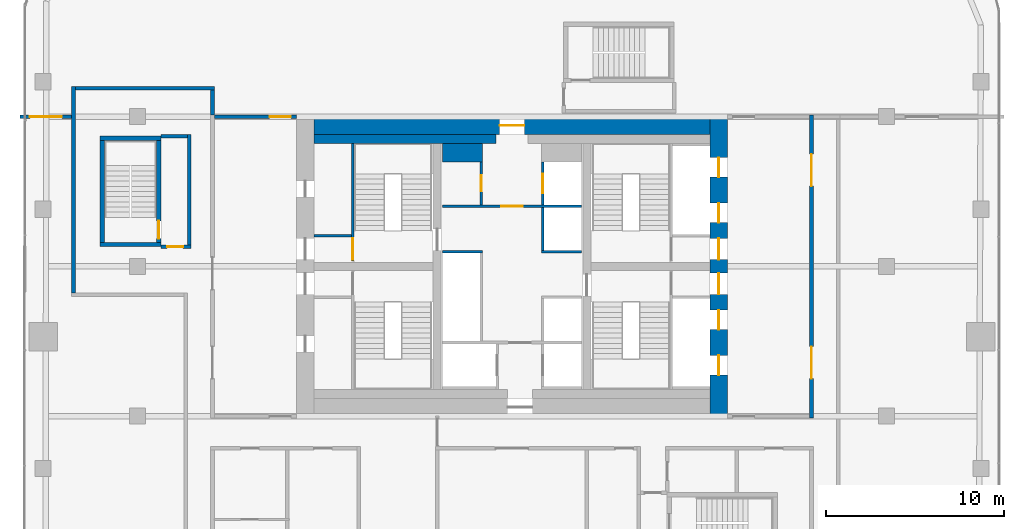
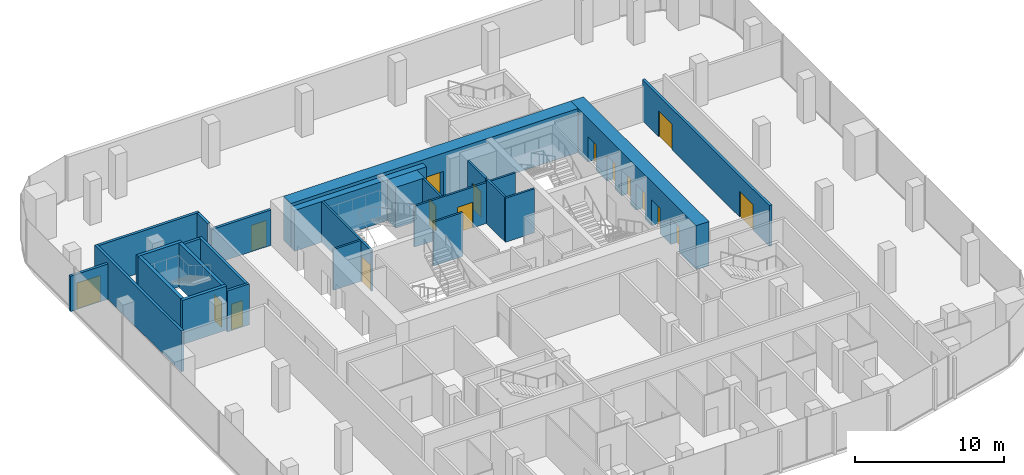
# One storey, part 17 of 21: 25 walls, 17 doors, 17 openings.
"""IFC4 building model written with IfcOpenShell, lengths in metres."""

from ifc_helpers import new_model, si_unit, direction, frame, frame_2d, origin, place, context, subcontext, project, spatial, rectangle, extrude, material, layer, layer_set, type_object, element, fill, save


model = new_model("IFC4")

# Units and contexts
model_context = context("Model", 3, precision=1e-05, world=origin(), true_north=direction((0.0, 1.0)))
body_context = subcontext(model_context, "Body", "Model", "MODEL_VIEW")
ifc_project = project(units=[si_unit("LENGTHUNIT", "METRE"), si_unit("AREAUNIT", "SQUARE_METRE"), si_unit("VOLUMEUNIT", "CUBIC_METRE"), si_unit("PLANEANGLEUNIT", "RADIAN"), si_unit("MASSUNIT", "GRAM", prefix="KILO")], contexts=[model_context])

# Site, building, storey
site_placement = place(None, origin())
site = spatial("IfcSite", under=ifc_project, at=site_placement, CompositionType="ELEMENT")
building_placement = place(site_placement, origin())
building = spatial("IfcBuilding", under=site, at=building_placement, Name="Marenta Gate Hotel Tower", CompositionType="ELEMENT")
storey_placement = place(building_placement, frame((0.0, 0.0, 133.699951171875)))
storey = spatial("IfcBuildingStorey", under=building, at=storey_placement, Name="L30", CompositionType="ELEMENT", Elevation=133.699951171875)

# Wall, opening, door
ifc_material_1 = material(Name="Concrete blockwork", Category="masonry")
ifc_layer_1 = layer(ifc_material_1, 0.199951171875)
ifc_layer_set_1 = layer_set([ifc_layer_1], Name="Concrete blockwork")
wall_type_1 = type_object("IfcWallType", Name="Core boundary wall 200 REI 180", PredefinedType="PARTITIONING", material=ifc_layer_set_1)
wall_1_placement = place(storey_placement, frame((-16.699951171875, 16.800048828125, 0.0), z_axis=(0.0, 0.0, 1.0), x_axis=(1.0, 0.0, 0.0)))
wall_1 = element("IfcWall", 1, at=wall_1_placement, inside=storey, type_object=wall_type_1, Name="L30-CP-EW-WN", PredefinedType="PARTITIONING", context=body_context, shape_type="SweptSolid", body=[
    extrude(rectangle(XDim=4.599853515625, YDim=0.199951171875, at=frame_2d((2.2998046875, 0.0))), origin(), (0.0, 0.0, 1.0), 2.89013671875),
])
opening_1_placement = place(wall_1_placement, frame((3.10009765625, 0.0, 0.0)))
opening_1 = element("IfcOpeningElement", 2, at=opening_1_placement, cuts=wall_1, Name="Opening RFD-WN", PredefinedType="OPENING", context=body_context, shape_type="SweptSolid", body=[
    extrude(rectangle(XDim=1.199951171875, YDim=2.10009765625, at=frame_2d((0.60009765625, 1.050048828125))), frame((0.0, 0.10009765625, 0.0), z_axis=(0.0, -1.0, 0.0), x_axis=(1.0, 0.0, 0.0)), (0.0, 0.0, 1.0), 0.199951171875),
])
ifc_material_2 = material(Name="Steel", Category="steel")
door_type_1 = type_object("IfcDoorType", Name="Core lobby door 1200x2100 FD60", OperationType="SINGLE_SWING_LEFT", PredefinedType="DOOR", material=ifc_material_2)
door_1_placement = place(opening_1_placement, origin())
door_1 = element("IfcDoor", 3, at=door_1_placement, inside=storey, type_object=door_type_1, Name="RFD-WN", OperationType="SINGLE_SWING_LEFT", OverallHeight=2.10009765625, OverallWidth=1.199951171875, PredefinedType="DOOR", context=body_context, shape_type="SweptSolid", body=[
    extrude(rectangle(XDim=1.199951171875, YDim=2.10009765625, at=frame_2d((0.60009765625, 1.050048828125))), frame((0.0, 0.02490234375, 0.0), z_axis=(0.0, -1.0, 0.0), x_axis=(1.0, 0.0, 0.0)), (0.0, 0.0, 1.0), 0.050048828125),
])
fill(opening_1, door_1)

# Wall, openings, doors
wall_2_placement = place(storey_placement, frame((16.800048828125, -0.10009765625, 0.0), z_axis=(0.0, 0.0, 1.0), x_axis=(0.0, 1.0, 0.0)))
wall_2 = element("IfcWall", 4, at=wall_2_placement, inside=storey, type_object=wall_type_1, Name="L30-CP-BW-E", PredefinedType="PARTITIONING", context=body_context, shape_type="SweptSolid", body=[
    extrude(rectangle(XDim=17.0, YDim=0.199951171875, at=frame_2d((8.5, 0.0))), origin(), (0.0, 0.0, 1.0), 3.340087890625),
])
opening_2_placement = place(wall_2_placement, frame((2.199951171875, 0.0, 0.0)))
opening_2 = element("IfcOpeningElement", 5, at=opening_2_placement, cuts=wall_2, Name="Opening ED-Ea-B", PredefinedType="OPENING", context=body_context, shape_type="SweptSolid", body=[
    extrude(rectangle(XDim=1.800048828125, YDim=2.10009765625, at=frame_2d((0.89990234375, 1.050048828125))), frame((0.0, 0.10009765625, 0.0), z_axis=(0.0, -1.0, 0.0), x_axis=(1.0, 0.0, 0.0)), (0.0, 0.0, 1.0), 0.199951171875),
])
opening_3_placement = place(wall_2_placement, frame((13.0, 0.0, 0.0)))
opening_3 = element("IfcOpeningElement", 6, at=opening_3_placement, cuts=wall_2, Name="Opening ED-Eb-B", PredefinedType="OPENING", context=body_context, shape_type="SweptSolid", body=[
    extrude(rectangle(XDim=1.800048828125, YDim=2.10009765625, at=frame_2d((0.89990234375, 1.050048828125))), frame((0.0, 0.10009765625, 0.0), z_axis=(0.0, -1.0, 0.0), x_axis=(1.0, 0.0, 0.0)), (0.0, 0.0, 1.0), 0.199951171875),
])
ifc_material_3 = material(Name="Steel", Category="steel")
door_type_2 = type_object("IfcDoorType", Name="Core lobby entrance door 1800x2100 EI 60", OperationType="DOUBLE_DOOR_SINGLE_SWING", PredefinedType="DOOR", material=ifc_material_3)
door_2_placement = place(opening_2_placement, origin())
door_2 = element("IfcDoor", 7, at=door_2_placement, inside=storey, type_object=door_type_2, Name="ED-Ea-B", OperationType="DOUBLE_DOOR_SINGLE_SWING", OverallHeight=2.10009765625, OverallWidth=1.800048828125, PredefinedType="DOOR", context=body_context, shape_type="SweptSolid", body=[
    extrude(rectangle(XDim=1.800048828125, YDim=2.10009765625, at=frame_2d((0.89990234375, 1.050048828125))), frame((0.0, 0.02490234375, 0.0), z_axis=(0.0, -1.0, 0.0), x_axis=(1.0, 0.0, 0.0)), (0.0, 0.0, 1.0), 0.050048828125),
])
fill(opening_2, door_2)
door_3_placement = place(opening_3_placement, origin())
door_3 = element("IfcDoor", 8, at=door_3_placement, inside=storey, type_object=door_type_2, Name="ED-Eb-B", OperationType="DOUBLE_DOOR_SINGLE_SWING", OverallHeight=2.10009765625, OverallWidth=1.800048828125, PredefinedType="DOOR", context=body_context, shape_type="SweptSolid", body=[
    extrude(rectangle(XDim=1.800048828125, YDim=2.10009765625, at=frame_2d((0.89990234375, 1.050048828125))), frame((0.0, 0.02490234375, 0.0), z_axis=(0.0, -1.0, 0.0), x_axis=(1.0, 0.0, 0.0)), (0.0, 0.0, 1.0), 0.050048828125),
])
fill(opening_3, door_3)

# Wall
ifc_material_4 = material(Name="Concrete C40", Category="concrete")
ifc_layer_2 = layer(ifc_material_4, 0.5)
ifc_layer_set_2 = layer_set([ifc_layer_2], Name="Concrete C40")
wall_type_2 = type_object("IfcWallType", Name="Core lining wall 500 REI 180", PredefinedType="PARTITIONING", material=ifc_layer_set_2)
wall_3_placement = place(storey_placement, frame((-11.10009765625, 15.550048828125, 0.0), z_axis=(0.0, 0.0, 1.0), x_axis=(1.0, 0.0, 0.0)))
element("IfcWall", 9, at=wall_3_placement, inside=storey, type_object=wall_type_2, Name="L30-CP-LN-N1", PredefinedType="PARTITIONING", context=body_context, shape_type="SweptSolid", body=[
    extrude(rectangle(XDim=10.2001953125, YDim=0.5, at=frame_2d((5.10009765625, 0.0))), origin(), (0.0, 0.0, 1.0), 3.340087890625),
])

# Wall, opening, door
ifc_material_5 = material(Name="Concrete blockwork", Category="masonry")
ifc_layer_3 = layer(ifc_material_5, 0.14990234375)
ifc_layer_set_3 = layer_set([ifc_layer_3], Name="Concrete blockwork")
wall_type_3 = type_object("IfcWallType", Name="Core lobby partition 150 REI 180", PredefinedType="PARTITIONING", material=ifc_layer_set_3)
wall_4_placement = place(storey_placement, frame((-3.89990234375, 11.77490234375, 0.0), z_axis=(0.0, 0.0, 1.0), x_axis=(1.0, 0.0, 0.0)))
wall_4 = element("IfcWall", 10, at=wall_4_placement, inside=storey, type_object=wall_type_3, Name="L30-CP-CW-N", PredefinedType="PARTITIONING", context=body_context, shape_type="SweptSolid", body=[
    extrude(rectangle(XDim=7.7998046875, YDim=0.14990234375, at=frame_2d((3.89990234375, 0.0))), origin(), (0.0, 0.0, 1.0), 3.340087890625),
])
opening_4_placement = place(wall_4_placement, frame((3.300048828125, 0.0, 0.0)))
opening_4 = element("IfcOpeningElement", 11, at=opening_4_placement, cuts=wall_4, Name="Opening FD-FFN", PredefinedType="OPENING", context=body_context, shape_type="SweptSolid", body=[
    extrude(rectangle(XDim=1.199951171875, YDim=2.10009765625, at=frame_2d((0.60009765625, 1.050048828125))), frame((0.0, 0.074951171875, 0.0), z_axis=(0.0, -1.0, 0.0), x_axis=(1.0, 0.0, 0.0)), (0.0, 0.0, 1.0), 0.14990234375),
])
door_4_placement = place(opening_4_placement, origin())
door_4 = element("IfcDoor", 12, at=door_4_placement, inside=storey, type_object=door_type_1, Name="FD-FFN", OperationType="SINGLE_SWING_LEFT", OverallHeight=2.10009765625, OverallWidth=1.199951171875, PredefinedType="DOOR", context=body_context, shape_type="SweptSolid", body=[
    extrude(rectangle(XDim=1.199951171875, YDim=2.10009765625, at=frame_2d((0.60009765625, 1.050048828125))), frame((0.0, 0.02490234375, 0.0), z_axis=(0.0, -1.0, 0.0), x_axis=(1.0, 0.0, 0.0)), (0.0, 0.0, 1.0), 0.050048828125),
])
fill(opening_4, door_4)

# Walls
ifc_material_6 = material(Name="Concrete blockwork", Category="masonry")
ifc_layer_4 = layer(ifc_material_6, 1.050048828125)
ifc_layer_set_4 = layer_set([ifc_layer_4], Name="Concrete blockwork")
wall_type_4 = type_object("IfcWallType", Name="Core room partition 1050 REI 180", PredefinedType="PARTITIONING", material=ifc_layer_set_4)
wall_5_placement = place(storey_placement, frame((-3.89990234375, 14.77490234375, 0.0), z_axis=(0.0, 0.0, 1.0), x_axis=(1.0, 0.0, 0.0)))
element("IfcWall", 13, at=wall_5_placement, inside=storey, type_object=wall_type_4, Name="L30-CP-CW-W-riser-N", PredefinedType="PARTITIONING", context=body_context, shape_type="SweptSolid", body=[
    extrude(rectangle(XDim=2.25, YDim=1.050048828125, at=frame_2d((1.125, 0.0))), origin(), (0.0, 0.0, 1.0), 3.340087890625),
])
ifc_material_7 = material(Name="Concrete blockwork", Category="masonry")
ifc_layer_5 = layer(ifc_material_7, 0.14990234375)
ifc_layer_set_5 = layer_set([ifc_layer_5], Name="Concrete blockwork")
wall_type_5 = type_object("IfcWallType", Name="Core room partition 150 REI 180", PredefinedType="PARTITIONING", material=ifc_layer_set_5)
wall_6_placement = place(storey_placement, frame((-11.10009765625, 10.125, 0.0), z_axis=(0.0, 0.0, 1.0), x_axis=(1.0, 0.0, 0.0)))
element("IfcWall", 14, at=wall_6_placement, inside=storey, type_object=wall_type_5, Name="L30-CP-SW-WN-2", PredefinedType="PARTITIONING", context=body_context, shape_type="SweptSolid", body=[
    extrude(rectangle(XDim=2.10009765625, YDim=0.14990234375, at=frame_2d((1.050048828125, 0.0))), origin(), (0.0, 0.0, 1.0), 3.340087890625),
])

# Wall, opening, door
wall_7_placement = place(storey_placement, frame((-1.72509765625, 11.85009765625, 0.0), z_axis=(0.0, 0.0, 1.0), x_axis=(0.0, 1.0, 0.0)))
wall_7 = element("IfcWall", 15, at=wall_7_placement, inside=storey, type_object=wall_type_5, Name="L30-CP-CW-W-riser-front", PredefinedType="PARTITIONING", context=body_context, shape_type="SweptSolid", body=[
    extrude(rectangle(XDim=2.39990234375, YDim=0.14990234375, at=frame_2d((1.199951171875, 0.0))), origin(), (0.0, 0.0, 1.0), 3.340087890625),
])
opening_5_placement = place(wall_7_placement, frame((0.75, 0.0, 0.0)))
opening_5 = element("IfcOpeningElement", 16, at=opening_5_placement, cuts=wall_7, Name="Opening RD-CRISER", PredefinedType="OPENING", context=body_context, shape_type="SweptSolid", body=[
    extrude(rectangle(XDim=0.89990234375, YDim=2.10009765625, at=frame_2d((0.449951171875, 1.050048828125))), frame((0.0, 0.074951171875, 0.0), z_axis=(0.0, -1.0, 0.0), x_axis=(1.0, 0.0, 0.0)), (0.0, 0.0, 1.0), 0.14990234375),
])
ifc_material_8 = material(Name="Steel", Category="steel")
door_type_3 = type_object("IfcDoorType", Name="Core riser door 900x2100 FD60", OperationType="SINGLE_SWING_LEFT", PredefinedType="DOOR", material=ifc_material_8)
door_5_placement = place(opening_5_placement, origin())
door_5 = element("IfcDoor", 17, at=door_5_placement, inside=storey, type_object=door_type_3, Name="RD-CRISER", OperationType="SINGLE_SWING_LEFT", OverallHeight=2.10009765625, OverallWidth=0.89990234375, PredefinedType="DOOR", context=body_context, shape_type="SweptSolid", body=[
    extrude(rectangle(XDim=0.89990234375, YDim=2.10009765625, at=frame_2d((0.449951171875, 1.050048828125))), frame((0.0, 0.02490234375, 0.0), z_axis=(0.0, -1.0, 0.0), x_axis=(1.0, 0.0, 0.0)), (0.0, 0.0, 1.0), 0.050048828125),
])
fill(opening_5, door_5)

# Wall
ifc_material_9 = material(Name="Concrete C40", Category="concrete")
ifc_layer_6 = layer(ifc_material_9, 0.14990234375)
ifc_layer_set_6 = layer_set([ifc_layer_6], Name="Concrete C40")
wall_type_6 = type_object("IfcWallType", Name="Core shaft wall 150 REI 180", PredefinedType="SHEAR", material=ifc_layer_set_6)
wall_8_placement = place(storey_placement, frame((-3.89990234375, 9.22509765625, 0.0), z_axis=(0.0, 0.0, 1.0), x_axis=(1.0, 0.0, 0.0)))
element("IfcWall", 18, at=wall_8_placement, inside=storey, type_object=wall_type_6, Name="L30-SHF-CW-W-sep", PredefinedType="SHEAR", context=body_context, shape_type="SweptSolid", body=[
    extrude(rectangle(XDim=2.25, YDim=0.14990234375, at=frame_2d((1.125, 0.0))), origin(), (0.0, 0.0, 1.0), 3.60009765625),
])

# Wall, opening, door
wall_9_placement = place(storey_placement, frame((1.72509765625, 11.85009765625, 0.0), z_axis=(0.0, 0.0, 1.0), x_axis=(0.0, 1.0, 0.0)))
wall_9 = element("IfcWall", 19, at=wall_9_placement, inside=storey, type_object=wall_type_6, Name="L30-SHF-CE-N-front2", PredefinedType="SHEAR", context=body_context, shape_type="SweptSolid", body=[
    extrude(rectangle(XDim=2.39990234375, YDim=0.14990234375, at=frame_2d((1.199951171875, 0.0))), origin(), (0.0, 0.0, 1.0), 3.60009765625),
])
opening_6_placement = place(wall_9_placement, frame((0.64990234375, 0.0, 0.0)))
opening_6 = element("IfcOpeningElement", 20, at=opening_6_placement, cuts=wall_9, Name="Opening LD-FF2", PredefinedType="OPENING", context=body_context, shape_type="SweptSolid", body=[
    extrude(rectangle(XDim=1.10009765625, YDim=2.10009765625, at=frame_2d((0.550048828125, 1.050048828125))), frame((0.0, 0.074951171875, 0.0), z_axis=(0.0, -1.0, 0.0), x_axis=(1.0, 0.0, 0.0)), (0.0, 0.0, 1.0), 0.14990234375),
])
ifc_material_10 = material(Name="Steel", Category="steel")
door_type_4 = type_object("IfcDoorType", Name="Core lift landing door 1100x2100 E 60", OperationType="SLIDING_TO_LEFT", PredefinedType="DOOR", material=ifc_material_10)
door_6_placement = place(opening_6_placement, origin())
door_6 = element("IfcDoor", 21, at=door_6_placement, inside=storey, type_object=door_type_4, Name="LD-FF2", OperationType="SLIDING_TO_LEFT", OverallHeight=2.10009765625, OverallWidth=1.10009765625, PredefinedType="DOOR", context=body_context, shape_type="SweptSolid", body=[
    extrude(rectangle(XDim=1.10009765625, YDim=2.10009765625, at=frame_2d((0.550048828125, 1.050048828125))), frame((0.0, 0.02490234375, 0.0), z_axis=(0.0, -1.0, 0.0), x_axis=(1.0, 0.0, 0.0)), (0.0, 0.0, 1.0), 0.050048828125),
])
fill(opening_6, door_6)

# Walls
wall_10_placement = place(storey_placement, frame((1.64990234375, 9.22509765625, 0.0), z_axis=(0.0, 0.0, 1.0), x_axis=(1.0, 0.0, 0.0)))
element("IfcWall", 22, at=wall_10_placement, inside=storey, type_object=wall_type_6, Name="L30-SHF-CE-sep2", PredefinedType="SHEAR", context=body_context, shape_type="SweptSolid", body=[
    extrude(rectangle(XDim=2.25, YDim=0.14990234375, at=frame_2d((1.125, 0.0))), origin(), (0.0, 0.0, 1.0), 3.60009765625),
])
wall_11_placement = place(storey_placement, frame((1.72509765625, 9.300048828125, 0.0), z_axis=(0.0, 0.0, 1.0), x_axis=(0.0, 1.0, 0.0)))
element("IfcWall", 23, at=wall_11_placement, inside=storey, type_object=wall_type_6, Name="L30-SHF-CE-front-2", PredefinedType="SHEAR", context=body_context, shape_type="SweptSolid", body=[
    extrude(rectangle(XDim=2.39990234375, YDim=0.14990234375, at=frame_2d((1.199951171875, 0.0))), origin(), (0.0, 0.0, 1.0), 3.60009765625),
])

# Wall, opening, door
ifc_material_11 = material(Name="Concrete C40", Category="concrete")
ifc_layer_7 = layer(ifc_material_11, 0.14990234375)
ifc_layer_set_7 = layer_set([ifc_layer_7], Name="Concrete C40")
wall_type_7 = type_object("IfcWallType", Name="Core stair enclosure wall 150 REI 180", PredefinedType="SHEAR", material=ifc_layer_set_7)
wall_12_placement = place(storey_placement, frame((-8.925048828125, 8.699951171875, 0.0), z_axis=(0.0, 0.0, 1.0), x_axis=(0.0, 1.0, 0.0)))
wall_12 = element("IfcWall", 24, at=wall_12_placement, inside=storey, type_object=wall_type_7, Name="L30-SHF-SW-WN-3", PredefinedType="SHEAR", context=body_context, shape_type="SweptSolid", body=[
    extrude(rectangle(XDim=6.60009765625, YDim=0.14990234375, at=frame_2d((3.300048828125, 0.0))), origin(), (0.0, 0.0, 1.0), 3.340087890625),
])
opening_7_placement = place(wall_12_placement, frame((0.074951171875, 0.0, 0.0)))
opening_7 = element("IfcOpeningElement", 25, at=opening_7_placement, cuts=wall_12, Name="Opening SD-WN", PredefinedType="OPENING", context=body_context, shape_type="SweptSolid", body=[
    extrude(rectangle(XDim=1.199951171875, YDim=2.10009765625, at=frame_2d((0.60009765625, 1.050048828125))), frame((0.0, 0.074951171875, 0.0), z_axis=(0.0, -1.0, 0.0), x_axis=(1.0, 0.0, 0.0)), (0.0, 0.0, 1.0), 0.14990234375),
])
ifc_material_12 = material(Name="Steel", Category="steel")
door_type_5 = type_object("IfcDoorType", Name="Core stair door 1200x2100 FD60", OperationType="SINGLE_SWING_LEFT", PredefinedType="DOOR", material=ifc_material_12)
door_7_placement = place(opening_7_placement, origin())
door_7 = element("IfcDoor", 26, at=door_7_placement, inside=storey, type_object=door_type_5, Name="SD-WN", OperationType="SINGLE_SWING_LEFT", OverallHeight=2.10009765625, OverallWidth=1.199951171875, PredefinedType="DOOR", context=body_context, shape_type="SweptSolid", body=[
    extrude(rectangle(XDim=1.199951171875, YDim=2.10009765625, at=frame_2d((0.60009765625, 1.050048828125))), frame((0.0, 0.02490234375, 0.0), z_axis=(0.0, -1.0, 0.0), x_axis=(1.0, 0.0, 0.0)), (0.0, 0.0, 1.0), 0.050048828125),
])
fill(opening_7, door_7)

# Wall, openings, doors
ifc_material_13 = material(Name="Concrete C70", Category="concrete")
ifc_layer_8 = layer(ifc_material_13, 1.0)
ifc_layer_set_8 = layer_set([ifc_layer_8], Name="Concrete C70")
wall_type_8 = type_object("IfcWallType", Name="Core wall 1000 C70", PredefinedType="SHEAR", material=ifc_layer_set_8)
wall_13_placement = place(storey_placement, frame((11.60009765625, 0.0, 0.0), z_axis=(0.0, 0.0, 1.0), x_axis=(0.0, 1.0, 0.0)))
wall_13 = element("IfcWall", 27, at=wall_13_placement, inside=storey, type_object=wall_type_8, Name="L30-CORE-E", PredefinedType="SHEAR", context=body_context, shape_type="SweptSolid", body=[
    extrude(rectangle(XDim=16.800048828125, YDim=1.0, at=frame_2d((8.39990234375, 0.0))), origin(), (0.0, 0.0, 1.0), 3.60009765625),
])
opening_8_placement = place(wall_13_placement, frame((2.300048828125, 0.0, 0.0)))
opening_8 = element("IfcOpeningElement", 28, at=opening_8_placement, cuts=wall_13, Name="Opening LD-HR1", PredefinedType="OPENING", context=body_context, shape_type="SweptSolid", body=[
    extrude(rectangle(XDim=1.10009765625, YDim=2.10009765625, at=frame_2d((0.550048828125, 1.050048828125))), frame((0.0, 0.5, 0.0), z_axis=(0.0, -1.0, 0.0), x_axis=(1.0, 0.0, 0.0)), (0.0, 0.0, 1.0), 1.0),
])
opening_9_placement = place(wall_13_placement, frame((4.85009765625, 0.0, 0.0)))
opening_9 = element("IfcOpeningElement", 29, at=opening_9_placement, cuts=wall_13, Name="Opening LD-HR2", PredefinedType="OPENING", context=body_context, shape_type="SweptSolid", body=[
    extrude(rectangle(XDim=1.10009765625, YDim=2.10009765625, at=frame_2d((0.550048828125, 1.050048828125))), frame((0.0, 0.5, 0.0), z_axis=(0.0, -1.0, 0.0), x_axis=(1.0, 0.0, 0.0)), (0.0, 0.0, 1.0), 1.0),
])
opening_10_placement = place(wall_13_placement, frame((6.824951171875, 0.0, 0.0)))
opening_10 = element("IfcOpeningElement", 30, at=opening_10_placement, cuts=wall_13, Name="Opening PD-ES", PredefinedType="OPENING", context=body_context, shape_type="SweptSolid", body=[
    extrude(rectangle(XDim=1.199951171875, YDim=2.10009765625, at=frame_2d((0.60009765625, 1.050048828125))), frame((0.0, 0.5, 0.0), z_axis=(0.0, -1.0, 0.0), x_axis=(1.0, 0.0, 0.0)), (0.0, 0.0, 1.0), 1.0),
])
opening_11_placement = place(wall_13_placement, frame((13.39990234375, 0.0, 0.0)))
opening_11 = element("IfcOpeningElement", 31, at=opening_11_placement, cuts=wall_13, Name="Opening LD-HR4", PredefinedType="OPENING", context=body_context, shape_type="SweptSolid", body=[
    extrude(rectangle(XDim=1.10009765625, YDim=2.10009765625, at=frame_2d((0.550048828125, 1.050048828125))), frame((0.0, 0.5, 0.0), z_axis=(0.0, -1.0, 0.0), x_axis=(1.0, 0.0, 0.0)), (0.0, 0.0, 1.0), 1.0),
])
opening_12_placement = place(wall_13_placement, frame((10.85009765625, 0.0, 0.0)))
opening_12 = element("IfcOpeningElement", 32, at=opening_12_placement, cuts=wall_13, Name="Opening LD-HR3", PredefinedType="OPENING", context=body_context, shape_type="SweptSolid", body=[
    extrude(rectangle(XDim=1.10009765625, YDim=2.10009765625, at=frame_2d((0.550048828125, 1.050048828125))), frame((0.0, 0.5, 0.0), z_axis=(0.0, -1.0, 0.0), x_axis=(1.0, 0.0, 0.0)), (0.0, 0.0, 1.0), 1.0),
])
opening_13_placement = place(wall_13_placement, frame((8.77490234375, 0.0, 0.0)))
opening_13 = element("IfcOpeningElement", 33, at=opening_13_placement, cuts=wall_13, Name="Opening PD-EN", PredefinedType="OPENING", context=body_context, shape_type="SweptSolid", body=[
    extrude(rectangle(XDim=1.199951171875, YDim=2.10009765625, at=frame_2d((0.60009765625, 1.050048828125))), frame((0.0, 0.5, 0.0), z_axis=(0.0, -1.0, 0.0), x_axis=(1.0, 0.0, 0.0)), (0.0, 0.0, 1.0), 1.0),
])
door_8_placement = place(opening_8_placement, origin())
door_8 = element("IfcDoor", 34, at=door_8_placement, inside=storey, type_object=door_type_4, Name="LD-HR1", OperationType="SLIDING_TO_LEFT", OverallHeight=2.10009765625, OverallWidth=1.10009765625, PredefinedType="DOOR", context=body_context, shape_type="SweptSolid", body=[
    extrude(rectangle(XDim=1.10009765625, YDim=2.10009765625, at=frame_2d((0.550048828125, 1.050048828125))), frame((0.0, 0.02490234375, 0.0), z_axis=(0.0, -1.0, 0.0), x_axis=(1.0, 0.0, 0.0)), (0.0, 0.0, 1.0), 0.050048828125),
])
fill(opening_8, door_8)
door_9_placement = place(opening_9_placement, origin())
door_9 = element("IfcDoor", 35, at=door_9_placement, inside=storey, type_object=door_type_4, Name="LD-HR2", OperationType="SLIDING_TO_LEFT", OverallHeight=2.10009765625, OverallWidth=1.10009765625, PredefinedType="DOOR", context=body_context, shape_type="SweptSolid", body=[
    extrude(rectangle(XDim=1.10009765625, YDim=2.10009765625, at=frame_2d((0.550048828125, 1.050048828125))), frame((0.0, 0.02490234375, 0.0), z_axis=(0.0, -1.0, 0.0), x_axis=(1.0, 0.0, 0.0)), (0.0, 0.0, 1.0), 0.050048828125),
])
fill(opening_9, door_9)
door_10_placement = place(opening_11_placement, origin())
door_10 = element("IfcDoor", 36, at=door_10_placement, inside=storey, type_object=door_type_4, Name="LD-HR4", OperationType="SLIDING_TO_LEFT", OverallHeight=2.10009765625, OverallWidth=1.10009765625, PredefinedType="DOOR", context=body_context, shape_type="SweptSolid", body=[
    extrude(rectangle(XDim=1.10009765625, YDim=2.10009765625, at=frame_2d((0.550048828125, 1.050048828125))), frame((0.0, 0.02490234375, 0.0), z_axis=(0.0, -1.0, 0.0), x_axis=(1.0, 0.0, 0.0)), (0.0, 0.0, 1.0), 0.050048828125),
])
fill(opening_11, door_10)
door_11_placement = place(opening_12_placement, origin())
door_11 = element("IfcDoor", 37, at=door_11_placement, inside=storey, type_object=door_type_4, Name="LD-HR3", OperationType="SLIDING_TO_LEFT", OverallHeight=2.10009765625, OverallWidth=1.10009765625, PredefinedType="DOOR", context=body_context, shape_type="SweptSolid", body=[
    extrude(rectangle(XDim=1.10009765625, YDim=2.10009765625, at=frame_2d((0.550048828125, 1.050048828125))), frame((0.0, 0.02490234375, 0.0), z_axis=(0.0, -1.0, 0.0), x_axis=(1.0, 0.0, 0.0)), (0.0, 0.0, 1.0), 0.050048828125),
])
fill(opening_12, door_11)
door_12_placement = place(opening_10_placement, origin())
door_12 = element("IfcDoor", 38, at=door_12_placement, inside=storey, type_object=door_type_1, Name="PD-ES", OperationType="SINGLE_SWING_LEFT", OverallHeight=2.10009765625, OverallWidth=1.199951171875, PredefinedType="DOOR", context=body_context, shape_type="SweptSolid", body=[
    extrude(rectangle(XDim=1.199951171875, YDim=2.10009765625, at=frame_2d((0.60009765625, 1.050048828125))), frame((0.0, 0.02490234375, 0.0), z_axis=(0.0, -1.0, 0.0), x_axis=(1.0, 0.0, 0.0)), (0.0, 0.0, 1.0), 0.050048828125),
])
fill(opening_10, door_12)
door_13_placement = place(opening_13_placement, origin())
door_13 = element("IfcDoor", 39, at=door_13_placement, inside=storey, type_object=door_type_1, Name="PD-EN", OperationType="SINGLE_SWING_LEFT", OverallHeight=2.10009765625, OverallWidth=1.199951171875, PredefinedType="DOOR", context=body_context, shape_type="SweptSolid", body=[
    extrude(rectangle(XDim=1.199951171875, YDim=2.10009765625, at=frame_2d((0.60009765625, 1.050048828125))), frame((0.0, 0.02490234375, 0.0), z_axis=(0.0, -1.0, 0.0), x_axis=(1.0, 0.0, 0.0)), (0.0, 0.0, 1.0), 0.050048828125),
])
fill(opening_13, door_13)

# Wall, opening, door
wall_14_placement = place(storey_placement, frame((-11.10009765625, 16.300048828125, 0.0), z_axis=(0.0, 0.0, 1.0), x_axis=(1.0, 0.0, 0.0)))
wall_14 = element("IfcWall", 40, at=wall_14_placement, inside=storey, type_object=wall_type_8, Name="L30-CORE-N", PredefinedType="SHEAR", context=body_context, shape_type="SweptSolid", body=[
    extrude(rectangle(XDim=22.2001953125, YDim=1.0, at=frame_2d((11.10009765625, 0.0))), origin(), (0.0, 0.0, 1.0), 3.60009765625),
])
opening_14_placement = place(wall_14_placement, frame((10.39990234375, 0.0, 0.0)))
opening_14 = element("IfcOpeningElement", 41, at=opening_14_placement, cuts=wall_14, Name="Opening RFD-N", PredefinedType="OPENING", context=body_context, shape_type="SweptSolid", body=[
    extrude(rectangle(XDim=1.39990234375, YDim=2.10009765625, at=frame_2d((0.699951171875, 1.050048828125))), frame((0.0, 0.5, 0.0), z_axis=(0.0, -1.0, 0.0), x_axis=(1.0, 0.0, 0.0)), (0.0, 0.0, 1.0), 1.0),
])
ifc_material_14 = material(Name="Steel", Category="steel")
door_type_6 = type_object("IfcDoorType", Name="Core lobby door 1400x2100 FD60", OperationType="SINGLE_SWING_LEFT", PredefinedType="DOOR", material=ifc_material_14)
door_14_placement = place(opening_14_placement, origin())
door_14 = element("IfcDoor", 42, at=door_14_placement, inside=storey, type_object=door_type_6, Name="RFD-N", OperationType="SINGLE_SWING_LEFT", OverallHeight=2.10009765625, OverallWidth=1.39990234375, PredefinedType="DOOR", context=body_context, shape_type="SweptSolid", body=[
    extrude(rectangle(XDim=1.39990234375, YDim=2.10009765625, at=frame_2d((0.699951171875, 1.050048828125))), frame((0.0, 0.02490234375, 0.0), z_axis=(0.0, -1.0, 0.0), x_axis=(1.0, 0.0, 0.0)), (0.0, 0.0, 1.0), 0.050048828125),
])
fill(opening_14, door_14)

# Walls
ifc_material_15 = material(Name="Concrete C40", Category="concrete")
ifc_layer_9 = layer(ifc_material_15, 0.25)
ifc_layer_set_9 = layer_set([ifc_layer_9], Name="Concrete C40")
wall_type_9 = type_object("IfcWallType", Name="Remote stair enclosure wall 250 REI 180", PredefinedType="SHEAR", material=ifc_layer_set_9)
for number, where, z_axis, x_axis, name in (
    (43, (-23.10009765625, 9.625, 0.10009765625), (0.0, 0.0, 1.0), (1.0, 0.0, 0.0), "L30-RS-Z1-3-W1"),
    (44, (-23.10009765625, 15.574951171875, 0.10009765625), (0.0, 0.0, 1.0), (1.0, 0.0, 0.0), "L30-RS-Z1-3-W2"),
):
    element("IfcWall", number, at=place(storey_placement, frame(where, z_axis=z_axis, x_axis=x_axis)), inside=storey, type_object=wall_type_9, Name=name, PredefinedType="SHEAR", context=body_context, shape_type="SweptSolid", body=[
        extrude(rectangle(XDim=3.400146484375, YDim=0.25, at=frame_2d((1.7001953125, 0.0))), origin(), (0.0, 0.0, 1.0), 3.599853515625),
    ])
wall_15_placement = place(storey_placement, frame((-22.97509765625, 9.75, 0.10009765625), z_axis=(0.0, 0.0, 1.0), x_axis=(0.0, 1.0, 0.0)))
element("IfcWall", 45, at=wall_15_placement, inside=storey, type_object=wall_type_9, Name="L30-RS-Z1-3-W3", PredefinedType="SHEAR", context=body_context, shape_type="SweptSolid", body=[
    extrude(rectangle(XDim=5.699951171875, YDim=0.25, at=frame_2d((2.85009765625, 0.0))), origin(), (0.0, 0.0, 1.0), 3.599853515625),
])

# Wall, opening, door
wall_16_placement = place(storey_placement, frame((-19.824951171875, 9.75, 0.10009765625), z_axis=(0.0, 0.0, 1.0), x_axis=(0.0, 1.0, 0.0)))
wall_16 = element("IfcWall", 46, at=wall_16_placement, inside=storey, type_object=wall_type_9, Name="L30-RS-Z1-3-W4", PredefinedType="SHEAR", context=body_context, shape_type="SweptSolid", body=[
    extrude(rectangle(XDim=5.699951171875, YDim=0.25, at=frame_2d((2.85009765625, 0.0))), origin(), (0.0, 0.0, 1.0), 3.599853515625),
])
opening_15_placement = place(wall_16_placement, frame((0.199951171875, 0.0, 0.0)))
opening_15 = element("IfcOpeningElement", 47, at=opening_15_placement, cuts=wall_16, Name="Opening VD", PredefinedType="OPENING", context=body_context, shape_type="SweptSolid", body=[
    extrude(rectangle(XDim=1.0, YDim=2.10009765625, at=frame_2d((0.5, 1.050048828125))), frame((0.0, 0.125, 0.0), z_axis=(0.0, -1.0, 0.0), x_axis=(1.0, 0.0, 0.0)), (0.0, 0.0, 1.0), 0.25),
])
ifc_material_16 = material(Name="Steel", Category="steel")
door_type_7 = type_object("IfcDoorType", Name="Stair vestibule door 1000x2100 FD60", OperationType="SINGLE_SWING_LEFT", PredefinedType="DOOR", material=ifc_material_16)
door_15_placement = place(opening_15_placement, origin())
door_15 = element("IfcDoor", 48, at=door_15_placement, inside=storey, type_object=door_type_7, Name="VD", OperationType="SINGLE_SWING_LEFT", OverallHeight=2.10009765625, OverallWidth=1.0, PredefinedType="DOOR", context=body_context, shape_type="SweptSolid", body=[
    extrude(rectangle(XDim=1.0, YDim=2.10009765625, at=frame_2d((0.5, 1.050048828125))), frame((0.0, 0.02490234375, 0.0), z_axis=(0.0, -1.0, 0.0), x_axis=(1.0, 0.0, 0.0)), (0.0, 0.0, 1.0), 0.050048828125),
])
fill(opening_15, door_15)

ifc_material_17 = material(Name="Concrete blockwork", Category="masonry")
ifc_layer_10 = layer(ifc_material_17, 0.199951171875)
ifc_layer_set_10 = layer_set([ifc_layer_10], Name="Concrete blockwork")
wall_type_10 = type_object("IfcWallType", Name="Room corridor wall 200 REI 180", PredefinedType="PARTITIONING", material=ifc_layer_set_10)
wall_17_placement = place(storey_placement, frame((-19.699951171875, 9.5, 0.0), z_axis=(0.0, 0.0, 1.0), x_axis=(1.0, 0.0, 0.0)))
wall_17 = element("IfcWall", 49, at=wall_17_placement, inside=storey, type_object=wall_type_10, Name="L30-PTN-W055", PredefinedType="PARTITIONING", context=body_context, shape_type="SweptSolid", body=[
    extrude(rectangle(XDim=1.699951171875, YDim=0.199951171875, at=frame_2d((0.85009765625, 0.0))), origin(), (0.0, 0.0, 1.0), 3.340087890625),
])
opening_16_placement = place(wall_17_placement, frame((0.35009765625, 0.0, 0.0)))
opening_16 = element("IfcOpeningElement", 50, at=opening_16_placement, cuts=wall_17, Name="Opening G11-27", PredefinedType="OPENING", context=body_context, shape_type="SweptSolid", body=[
    extrude(rectangle(XDim=0.89990234375, YDim=2.10009765625, at=frame_2d((0.449951171875, 1.050048828125))), frame((0.0, 0.10009765625, 0.0), z_axis=(0.0, -1.0, 0.0), x_axis=(1.0, 0.0, 0.0)), (0.0, 0.0, 1.0), 0.199951171875),
])
ifc_material_18 = material(Name="Hollow steel door set", Category="steel")
door_type_8 = type_object("IfcDoorType", Name="Stair vestibule door 900x2100 EI 60", OperationType="NOTDEFINED", PredefinedType="DOOR", material=ifc_material_18)
door_16_placement = place(opening_16_placement, origin())
door_16 = element("IfcDoor", 51, at=door_16_placement, inside=storey, type_object=door_type_8, Name="L30-PD-D027", OperationType="SINGLE_SWING_RIGHT", OverallHeight=2.10009765625, OverallWidth=0.89990234375, PredefinedType="DOOR", context=body_context, shape_type="SweptSolid", body=[
    extrude(rectangle(XDim=0.89990234375, YDim=2.10009765625, at=frame_2d((0.449951171875, 1.050048828125))), frame((0.0, 0.02490234375, 0.0), z_axis=(0.0, -1.0, 0.0), x_axis=(1.0, 0.0, 0.0)), (0.0, 0.0, 1.0), 0.050048828125),
])
fill(opening_16, door_16)

# Walls
wall_18_placement = place(storey_placement, frame((-19.699951171875, 15.699951171875, 0.0), z_axis=(0.0, 0.0, 1.0), x_axis=(1.0, 0.0, 0.0)))
element("IfcWall", 52, at=wall_18_placement, inside=storey, type_object=wall_type_10, Name="L30-PTN-W060", PredefinedType="PARTITIONING", context=body_context, shape_type="SweptSolid", body=[
    extrude(rectangle(XDim=1.5, YDim=0.199951171875, at=frame_2d((0.75, 0.0))), origin(), (0.0, 0.0, 1.0), 3.340087890625),
])
wall_19_placement = place(storey_placement, frame((-16.800048828125, 16.89990234375, 0.0), z_axis=(0.0, 0.0, 1.0), x_axis=(0.0, 1.0, 0.0)))
element("IfcWall", 53, at=wall_19_placement, inside=storey, type_object=wall_type_10, Name="L30-PTN-W063", PredefinedType="PARTITIONING", context=body_context, shape_type="SweptSolid", body=[
    extrude(rectangle(XDim=1.400146484375, YDim=0.199951171875, at=frame_2d((0.7001953125, 0.0))), origin(), (0.0, 0.0, 1.0), 3.340087890625),
])
wall_20_placement = place(storey_placement, frame((-18.10009765625, 9.60009765625, 0.0), z_axis=(0.0, 0.0, 1.0), x_axis=(0.0, 1.0, 0.0)))
element("IfcWall", 54, at=wall_20_placement, inside=storey, type_object=wall_type_10, Name="L30-PTN-W068", PredefinedType="PARTITIONING", context=body_context, shape_type="SweptSolid", body=[
    extrude(rectangle(XDim=6.199951171875, YDim=0.199951171875, at=frame_2d((3.10009765625, 0.0))), origin(), (0.0, 0.0, 1.0), 3.340087890625),
])
wall_21_placement = place(storey_placement, frame((-24.5, 18.39990234375, 0.0), z_axis=(0.0, 0.0, 1.0), x_axis=(1.0, 0.0, 0.0)))
element("IfcWall", 55, at=wall_21_placement, inside=storey, type_object=wall_type_10, Name="L30-PTN-W070", PredefinedType="PARTITIONING", context=body_context, shape_type="SweptSolid", body=[
    extrude(rectangle(XDim=7.800048828125, YDim=0.199951171875, at=frame_2d((3.89990234375, 0.0))), origin(), (0.0, 0.0, 1.0), 3.340087890625),
])
wall_22_placement = place(storey_placement, frame((-24.60009765625, 6.89990234375, 0.0), z_axis=(0.0, 0.0, 1.0), x_axis=(0.0, 1.0, 0.0)))
element("IfcWall", 56, at=wall_22_placement, inside=storey, type_object=wall_type_10, Name="L30-PTN-W073", PredefinedType="PARTITIONING", context=body_context, shape_type="SweptSolid", body=[
    extrude(rectangle(XDim=11.60009765625, YDim=0.199951171875, at=frame_2d((5.800048828125, 0.0))), origin(), (0.0, 0.0, 1.0), 3.340087890625),
])

# Wall, opening, door
ifc_material_19 = material(Name="Concrete blockwork", Category="masonry")
ifc_layer_11 = layer(ifc_material_19, 0.199951171875)
ifc_layer_set_11 = layer_set([ifc_layer_11], Name="Concrete blockwork")
wall_type_11 = type_object("IfcWallType", Name="Room party wall 200 REI 180", PredefinedType="PARTITIONING", material=ifc_layer_set_11)
wall_23_placement = place(storey_placement, frame((-27.60009765625, 16.800048828125, 0.0), z_axis=(0.0, 0.0, 1.0), x_axis=(1.0, 0.0, 0.0)))
wall_23 = element("IfcWall", 57, at=wall_23_placement, inside=storey, type_object=wall_type_11, Name="L30-PTN-W064", PredefinedType="PARTITIONING", context=body_context, shape_type="SweptSolid", body=[
    extrude(rectangle(XDim=2.900146484375, YDim=0.199951171875, at=frame_2d((1.4501953125, 0.0))), origin(), (0.0, 0.0, 1.0), 2.89013671875),
])
opening_17_placement = place(wall_23_placement, frame((0.550048828125, 0.0, 0.0)))
opening_17 = element("IfcOpeningElement", 58, at=opening_17_placement, cuts=wall_23, Name="Opening G11-25", PredefinedType="OPENING", context=body_context, shape_type="SweptSolid", body=[
    extrude(rectangle(XDim=1.800048828125, YDim=2.10009765625, at=frame_2d((0.89990234375, 1.050048828125))), frame((0.0, 0.10009765625, 0.0), z_axis=(0.0, -1.0, 0.0), x_axis=(1.0, 0.0, 0.0)), (0.0, 0.0, 1.0), 0.199951171875),
])
ifc_material_20 = material(Name="Timber door leaf", Category="wood")
door_type_9 = type_object("IfcDoorType", Name="Room amenity door 1800x2100 EI 60", OperationType="DOUBLE_DOOR_SINGLE_SWING", PredefinedType="DOOR", material=ifc_material_20)
door_17_placement = place(opening_17_placement, origin())
door_17 = element("IfcDoor", 59, at=door_17_placement, inside=storey, type_object=door_type_9, Name="L30-PD-D025", OperationType="DOUBLE_DOOR_SINGLE_SWING", OverallHeight=2.10009765625, OverallWidth=1.800048828125, PredefinedType="DOOR", context=body_context, shape_type="SweptSolid", body=[
    extrude(rectangle(XDim=1.800048828125, YDim=2.10009765625, at=frame_2d((0.89990234375, 1.050048828125))), frame((0.0, 0.02490234375, 0.0), z_axis=(0.0, -1.0, 0.0), x_axis=(1.0, 0.0, 0.0)), (0.0, 0.0, 1.0), 0.050048828125),
])
fill(opening_17, door_17)

save(model, "model.ifc")
